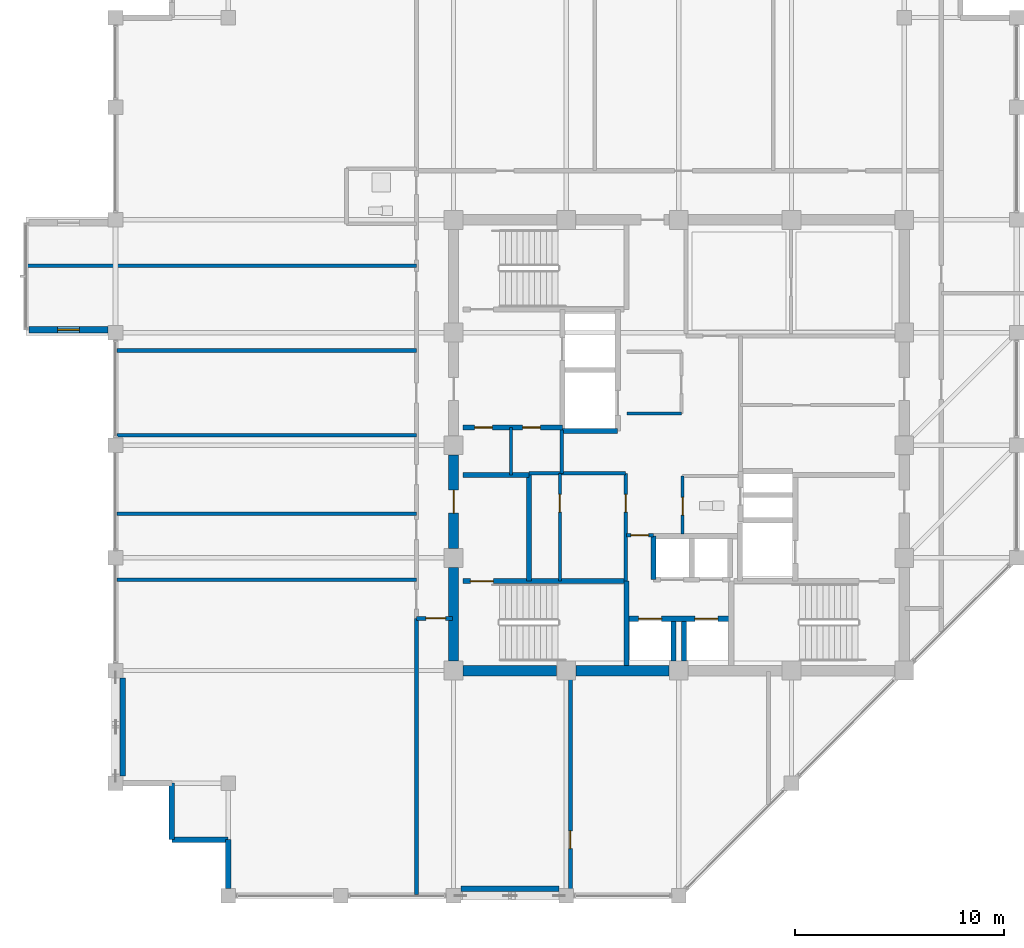
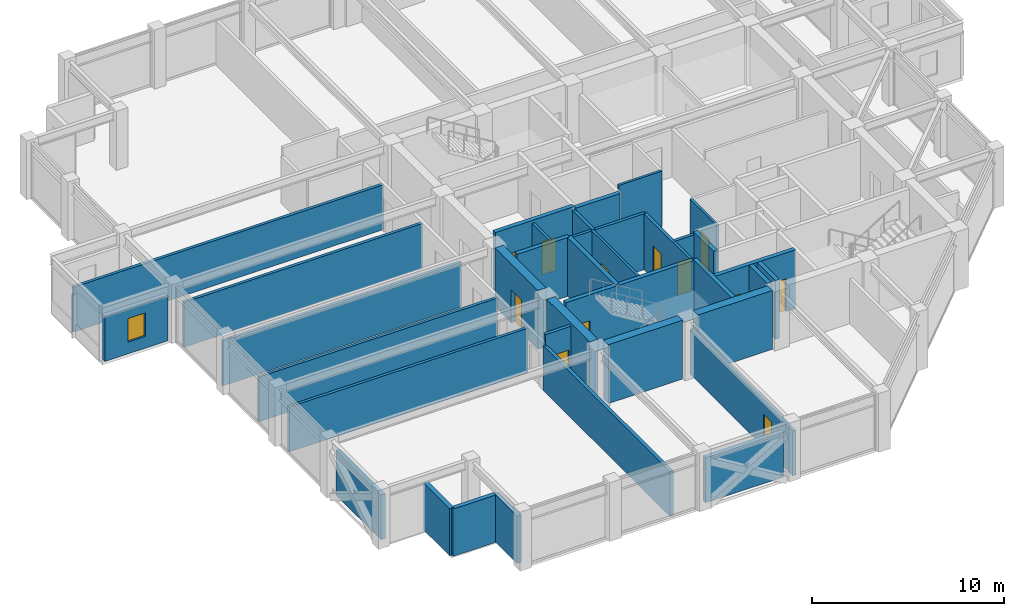
# One storey, part 25 of 31: 36 walls, 12 doors, 1 window, 13 openings.
"""IFC4 building model written with IfcOpenShell, lengths in metres."""

from ifc_helpers import new_model, si_unit, direction, frame, frame_2d, origin, place, context, subcontext, project, spatial, rectangle, extrude, material, layer, layer_set, type_object, element, fill, save


model = new_model("IFC4")

# Units and contexts
model_context = context("Model", 3, precision=1e-05, world=origin(), true_north=direction((0.0, 1.0)))
body_context = subcontext(model_context, "Body", "Model", "MODEL_VIEW")
ifc_project = project(units=[si_unit("LENGTHUNIT", "METRE"), si_unit("AREAUNIT", "SQUARE_METRE"), si_unit("VOLUMEUNIT", "CUBIC_METRE"), si_unit("PLANEANGLEUNIT", "RADIAN"), si_unit("MASSUNIT", "GRAM", prefix="KILO")], contexts=[model_context])

# Site, building, storey
site_placement = place(None, origin())
site = spatial("IfcSite", under=ifc_project, at=site_placement, CompositionType="ELEMENT")
building_placement = place(site_placement, origin())
building = spatial("IfcBuilding", under=site, at=building_placement, Name="Surkhivell Harbour Commons", CompositionType="ELEMENT")
storey_placement = place(building_placement, frame((0.0, 0.0, 266.25)))
storey = spatial("IfcBuildingStorey", under=building, at=storey_placement, Name="L69", CompositionType="ELEMENT", Elevation=266.25)

# Walls
ifc_material_1 = material(Name="Concrete C50/60", Category="concrete")
ifc_layer_1 = layer(ifc_material_1, 0.5)
ifc_layer_set_1 = layer_set([ifc_layer_1], Name="Concrete C50/60")
wall_type_1 = type_object("IfcWallType", Name="WAL-CORE-500", PredefinedType="SHEAR", material=ifc_layer_set_1)
for number, where, z_axis, x_axis, name in (
    (1, (-10.340087890625, -10.800048828125, 0.0), (0.0, 0.0, 1.0), (1.0, 0.0, 0.0), "L69 Core Shear Wall South 1"),
    (2, (-10.800048828125, -10.340087890625, 0.0), (0.0, 0.0, 1.0), (0.0, 1.0, 0.0), "L69 Core Shear Wall West 1"),
    (3, (-4.93994140625, -10.800048828125, 0.0), (0.0, 0.0, 1.0), (1.0, 0.0, 0.0), "L69 Core Shear Wall South 2"),
):
    element("IfcWall", number, at=place(storey_placement, frame(where, z_axis=z_axis, x_axis=x_axis)), inside=storey, type_object=wall_type_1, Name=name, PredefinedType="SHEAR", context=body_context, shape_type="SweptSolid", body=[
        extrude(rectangle(XDim=4.47998046875, YDim=0.5, at=frame_2d((2.239990234375, 0.0))), origin(), (0.0, 0.0, 1.0), 3.75),
    ])

# Wall, opening, door
wall_1_placement = place(storey_placement, frame((-10.800048828125, -4.93994140625, 0.0), z_axis=(0.0, 0.0, 1.0), x_axis=(0.0, 1.0, 0.0)))
wall_1 = element("IfcWall", 4, at=wall_1_placement, inside=storey, type_object=wall_type_1, Name="L69 Core Shear Wall West 2", PredefinedType="SHEAR", context=body_context, shape_type="SweptSolid", body=[
    extrude(rectangle(XDim=4.47998046875, YDim=0.5, at=frame_2d((2.239990234375, 0.0))), origin(), (0.0, 0.0, 1.0), 3.75),
])
opening_1_placement = place(wall_1_placement, frame((1.68994140625, 0.0, 0.0)))
opening_1 = element("IfcOpeningElement", 5, at=opening_1_placement, cuts=wall_1, Name="Opening ID-2", PredefinedType="OPENING", context=body_context, shape_type="SweptSolid", body=[
    extrude(rectangle(XDim=1.10009765625, YDim=2.10009765625, at=frame_2d((0.550048828125, 1.050048828125))), frame((0.0, 0.260009765625, 0.0), z_axis=(0.0, -1.0, 0.0), x_axis=(1.0, 0.0, 0.0)), (0.0, 0.0, 1.0), 0.52001953125),
])
ifc_material_2 = material(Name="Hardwood-veneered fire-rated door leaf", Category="wood")
door_type_1 = type_object("IfcDoorType", Name="DOR-FD60-1100", OperationType="NOTDEFINED", PredefinedType="DOOR", material=ifc_material_2)
door_1_placement = place(opening_1_placement, origin())
door_1 = element("IfcDoor", 6, at=door_1_placement, inside=storey, type_object=door_type_1, Name="L69 Stair 3 Lobby Corridor Door", OperationType="SINGLE_SWING_LEFT", OverallHeight=2.10009765625, OverallWidth=1.10009765625, PredefinedType="DOOR", context=body_context, shape_type="SweptSolid", body=[
    extrude(rectangle(XDim=1.10009765625, YDim=2.10009765625, at=frame_2d((0.550048828125, 1.050048828125))), frame((0.0, 0.02490234375, 0.0), z_axis=(0.0, -1.0, 0.0), x_axis=(1.0, 0.0, 0.0)), (0.0, 0.0, 1.0), 0.050048828125),
])
fill(opening_1, door_1)

# Wall, opening, window
ifc_material_3 = material(Name="Flemish-bond kiln brick and precast concrete C45/55", Category="masonry")
ifc_layer_2 = layer(ifc_material_3, 0.300048828125)
ifc_layer_set_2 = layer_set([ifc_layer_2], Name="Flemish-bond kiln brick and precast concrete C45/55")
wall_type_2 = type_object("IfcWallType", Name="WAL-EXT-BRK300", PredefinedType="STANDARD", material=ifc_layer_set_2)
wall_2_placement = place(storey_placement, frame((-31.159912109375, 5.5400390625, 0.0), z_axis=(0.0, 0.0, 1.0), x_axis=(1.0, 0.0, 0.0)))
wall_2 = element("IfcWall", 7, at=wall_2_placement, inside=storey, type_object=wall_type_2, Name="L69 Coloured Box Return Wall 02S", PredefinedType="STANDARD", context=body_context, shape_type="SweptSolid", body=[
    extrude(rectangle(XDim=3.805908203125, YDim=0.300048828125, at=frame_2d((1.90283203125, 0.0))), origin(), (0.0, 0.0, 1.0), 2.85693359375),
])
opening_2_placement = place(wall_2_placement, frame((1.3779296875, 0.0, 0.75)))
opening_2 = element("IfcOpeningElement", 8, at=opening_2_placement, cuts=wall_2, Name="Opening WN-11", PredefinedType="OPENING", context=body_context, shape_type="SweptSolid", body=[
    extrude(rectangle(XDim=1.050048828125, YDim=1.5, at=frame_2d((0.52490234375, 0.75))), frame((0.0, 0.159912109375, 0.0), z_axis=(0.0, -1.0, 0.0), x_axis=(1.0, 0.0, 0.0)), (0.0, 0.0, 1.0), 0.320068359375),
])
ifc_material_4 = material(Name="Thermal-break aluminium frame and double low-E glazing", Category="aluminium")
window_type = type_object("IfcWindowType", Name="WIN-SER-1050x1500", PartitioningType="SINGLE_PANEL", PredefinedType="WINDOW", material=ifc_material_4)
window_placement = place(opening_2_placement, origin())
window = element("IfcWindow", 9, at=window_placement, inside=storey, type_object=window_type, Name="L69 Coloured Box Return Window 02S", OverallHeight=1.5, OverallWidth=1.050048828125, PartitioningType="SINGLE_PANEL", PredefinedType="WINDOW", context=body_context, shape_type="SweptSolid", body=[
    extrude(rectangle(XDim=1.050048828125, YDim=1.5, at=frame_2d((0.52490234375, 0.75))), frame((0.0, 0.030029296875, 0.0), z_axis=(0.0, -1.0, 0.0), x_axis=(1.0, 0.0, 0.0)), (0.0, 0.0, 1.0), 0.06005859375),
])
fill(opening_2, window)

# Walls
ifc_material_5 = material(Name="Pale-metal insulated precast concrete C45/55", Category="concrete")
ifc_layer_3 = layer(ifc_material_5, 0.260009765625)
ifc_layer_set_3 = layer_set([ifc_layer_3], Name="Pale-metal insulated precast concrete C45/55")
wall_type_3 = type_object("IfcWallType", Name="WAL-EXT-MTL260", PredefinedType="STANDARD", material=ifc_layer_set_3)
wall_3_placement = place(storey_placement, frame((-10.451904296875, -21.264892578125, 0.0), z_axis=(0.0, 0.0, 1.0), x_axis=(1.0, 0.0, 0.0)))
element("IfcWall", 10, at=wall_3_placement, inside=storey, type_object=wall_type_3, Name="L69 Braced-Bay Insulated Spandrel Backing S", PredefinedType="STANDARD", context=body_context, shape_type="SweptSolid", body=[
    extrude(rectangle(XDim=4.703857421875, YDim=0.260009765625, at=frame_2d((2.35205078125, 0.0))), origin(), (0.0, 0.0, 1.0), 2.85693359375),
])
wall_4_placement = place(storey_placement, frame((-26.6650390625, -15.85205078125, 0.0), z_axis=(0.0, 0.0, 1.0), x_axis=(0.0, 1.0, 0.0)))
element("IfcWall", 11, at=wall_4_placement, inside=storey, type_object=wall_type_3, Name="L69 Braced-Bay Insulated Spandrel Backing W", PredefinedType="STANDARD", context=body_context, shape_type="SweptSolid", body=[
    extrude(rectangle(XDim=4.7041015625, YDim=0.260009765625, at=frame_2d((2.35205078125, 0.0))), origin(), (0.0, 0.0, 1.0), 2.85693359375),
])
for number, where, z_axis, x_axis, name in (
    (12, (-24.300048828125, -16.199951171875, 0.0), (0.0, 0.0, 1.0), (0.0, -1.0, 0.0), "L69 Serrated Corner Facade Wall 14"),
    (13, (-24.300048828125, -18.89990234375, 0.0), (0.0, 0.0, 1.0), (1.0, 0.0, 0.0), "L69 Serrated Corner Facade Wall 15"),
):
    element("IfcWall", number, at=place(storey_placement, frame(where, z_axis=z_axis, x_axis=x_axis)), inside=storey, type_object=wall_type_3, Name=name, PredefinedType="STANDARD", context=body_context, shape_type="SweptSolid", body=[
        extrude(rectangle(XDim=2.699951171875, YDim=0.260009765625, at=frame_2d((1.35009765625, 0.0))), origin(), (0.0, 0.0, 1.0), 3.012939453125),
    ])
wall_5_placement = place(storey_placement, frame((-21.60009765625, -18.89990234375, 0.0), z_axis=(0.0, 0.0, 1.0), x_axis=(0.0, -1.0, 0.0)))
element("IfcWall", 14, at=wall_5_placement, inside=storey, type_object=wall_type_3, Name="L69 Serrated Corner Facade Wall 16", PredefinedType="STANDARD", context=body_context, shape_type="SweptSolid", body=[
    extrude(rectangle(XDim=2.35205078125, YDim=0.260009765625, at=frame_2d((1.176025390625, 0.0))), origin(), (0.0, 0.0, 1.0), 3.012939453125),
])

# Wall, opening, door
ifc_material_6 = material(Name="Twin-stud acoustic fireboard partition", Category="other")
ifc_layer_4 = layer(ifc_material_6, 0.14990234375)
ifc_layer_set_4 = layer_set([ifc_layer_4], Name="Twin-stud acoustic fireboard partition")
wall_type_4 = type_object("IfcWallType", Name="WAL-INT-150", PredefinedType="PARTITIONING", material=ifc_layer_set_4)
wall_6_placement = place(storey_placement, frame((0.179931640625, -4.25, 0.0), z_axis=(0.0, 0.0, 1.0), x_axis=(0.0, 1.0, 0.0)))
wall_6 = element("IfcWall", 15, at=wall_6_placement, inside=storey, type_object=wall_type_4, Name="L69 Core Accessible WC West Wall", PredefinedType="PARTITIONING", context=body_context, shape_type="SweptSolid", body=[
    extrude(rectangle(XDim=2.77001953125, YDim=0.14990234375, at=frame_2d((1.385009765625, 0.0))), origin(), (0.0, 0.0, 1.0), 3.570068359375),
])
opening_3_placement = place(wall_6_placement, frame((0.89990234375, 0.0, 0.0)))
opening_3 = element("IfcOpeningElement", 16, at=opening_3_placement, cuts=wall_6, Name="Opening ID-6", PredefinedType="OPENING", context=body_context, shape_type="SweptSolid", body=[
    extrude(rectangle(XDim=0.85009765625, YDim=2.10009765625, at=frame_2d((0.425048828125, 1.050048828125))), frame((0.0, 0.0849609375, 0.0), z_axis=(0.0, -1.0, 0.0), x_axis=(1.0, 0.0, 0.0)), (0.0, 0.0, 1.0), 0.169921875),
])
door_type_2 = type_object("IfcDoorType", Name="DOR-FD30-850", OperationType="NOTDEFINED", PredefinedType="DOOR", material=ifc_material_2)
door_2_placement = place(opening_3_placement, origin())
door_2 = element("IfcDoor", 17, at=door_2_placement, inside=storey, type_object=door_type_2, Name="L69 Floor Accessible WC Door", OperationType="SINGLE_SWING_LEFT", OverallHeight=2.10009765625, OverallWidth=0.85009765625, PredefinedType="DOOR", context=body_context, shape_type="SweptSolid", body=[
    extrude(rectangle(XDim=0.85009765625, YDim=2.10009765625, at=frame_2d((0.425048828125, 1.050048828125))), frame((0.0, 0.02490234375, 0.0), z_axis=(0.0, -1.0, 0.0), x_axis=(1.0, 0.0, 0.0)), (0.0, 0.0, 1.0), 0.050048828125),
])
fill(opening_3, door_2)

wall_7_placement = place(storey_placement, frame((-5.699951171875, -6.510009765625, 0.0), z_axis=(0.0, 0.0, 1.0), x_axis=(0.0, 1.0, 0.0)))
wall_7 = element("IfcWall", 18, at=wall_7_placement, inside=storey, type_object=wall_type_4, Name="L69 Core Cut B Partition", PredefinedType="PARTITIONING", context=body_context, shape_type="SweptSolid", body=[
    extrude(rectangle(XDim=5.159912109375, YDim=0.14990234375, at=frame_2d((2.580078125, 0.0))), origin(), (0.0, 0.0, 1.0), 3.570068359375),
])
opening_4_placement = place(wall_7_placement, frame((3.300048828125, 0.0, 0.0)))
opening_4 = element("IfcOpeningElement", 19, at=opening_4_placement, cuts=wall_7, Name="Opening ID-6", PredefinedType="OPENING", context=body_context, shape_type="SweptSolid", body=[
    extrude(rectangle(XDim=0.85009765625, YDim=2.10009765625, at=frame_2d((0.425048828125, 1.050048828125))), frame((0.0, 0.0849609375, 0.0), z_axis=(0.0, -1.0, 0.0), x_axis=(1.0, 0.0, 0.0)), (0.0, 0.0, 1.0), 0.169921875),
])
door_3_placement = place(opening_4_placement, origin())
door_3 = element("IfcDoor", 20, at=door_3_placement, inside=storey, type_object=door_type_2, Name="L69 Core Focus Study Door", OperationType="SINGLE_SWING_RIGHT", OverallHeight=2.10009765625, OverallWidth=0.85009765625, PredefinedType="DOOR", context=body_context, shape_type="SweptSolid", body=[
    extrude(rectangle(XDim=0.85009765625, YDim=2.10009765625, at=frame_2d((0.425048828125, 1.050048828125))), frame((0.0, 0.02490234375, 0.0), z_axis=(0.0, -1.0, 0.0), x_axis=(1.0, 0.0, 0.0)), (0.0, 0.0, 1.0), 0.050048828125),
])
fill(opening_4, door_3)

# Walls
wall_8_placement = place(storey_placement, frame((-8.050048828125, -1.419921875, 0.0), z_axis=(0.0, 0.0, 1.0), x_axis=(0.0, 1.0, 0.0)))
element("IfcWall", 21, at=wall_8_placement, inside=storey, type_object=wall_type_4, Name="L69 West Seminar Booth Divider", PredefinedType="PARTITIONING", context=body_context, shape_type="SweptSolid", body=[
    extrude(rectangle(XDim=2.27001953125, YDim=0.14990234375, at=frame_2d((1.135009765625, 0.0))), origin(), (0.0, 0.0, 1.0), 3.570068359375),
])
wall_9_placement = place(storey_placement, frame((-2.47998046875, 1.52001953125, 0.0), z_axis=(0.0, 0.0, 1.0), x_axis=(1.0, 0.0, 0.0)))
element("IfcWall", 22, at=wall_9_placement, inside=storey, type_object=wall_type_4, Name="L69 Central Reading South Wall", PredefinedType="PARTITIONING", context=body_context, shape_type="SweptSolid", body=[
    extrude(rectangle(XDim=2.60009765625, YDim=0.14990234375, at=frame_2d((1.300048828125, 0.0))), origin(), (0.0, 0.0, 1.0), 3.570068359375),
])

# Wall, opening, door
ifc_material_7 = material(Name="High-density acoustic blockwork fire partition", Category="masonry")
ifc_layer_5 = layer(ifc_material_7, 0.175048828125)
ifc_layer_set_5 = layer_set([ifc_layer_5], Name="High-density acoustic blockwork fire partition")
wall_type_5 = type_object("IfcWallType", Name="WAL-INT-175", PredefinedType="PARTITIONING", material=ifc_layer_set_5)
wall_10_placement = place(storey_placement, frame((-2.550048828125, -6.510009765625, 0.0), z_axis=(0.0, 0.0, 1.0), x_axis=(0.0, 1.0, 0.0)))
wall_10 = element("IfcWall", 23, at=wall_10_placement, inside=storey, type_object=wall_type_5, Name="L69 Core Service Bay East Wall", PredefinedType="PARTITIONING", context=body_context, shape_type="SweptSolid", body=[
    extrude(rectangle(XDim=5.159912109375, YDim=0.175048828125, at=frame_2d((2.580078125, 0.0))), origin(), (0.0, 0.0, 1.0), 3.570068359375),
])
opening_5_placement = place(wall_10_placement, frame((3.300048828125, 0.0, 0.0)))
opening_5 = element("IfcOpeningElement", 24, at=opening_5_placement, cuts=wall_10, Name="Opening ID-6", PredefinedType="OPENING", context=body_context, shape_type="SweptSolid", body=[
    extrude(rectangle(XDim=0.85009765625, YDim=2.10009765625, at=frame_2d((0.425048828125, 1.050048828125))), frame((0.0, 0.097412109375, 0.0), z_axis=(0.0, -1.0, 0.0), x_axis=(1.0, 0.0, 0.0)), (0.0, 0.0, 1.0), 0.195068359375),
])
door_4_placement = place(opening_5_placement, origin())
door_4 = element("IfcDoor", 25, at=door_4_placement, inside=storey, type_object=door_type_2, Name="L69 Core Music Door", OperationType="SINGLE_SWING_LEFT", OverallHeight=2.10009765625, OverallWidth=0.85009765625, PredefinedType="DOOR", context=body_context, shape_type="SweptSolid", body=[
    extrude(rectangle(XDim=0.85009765625, YDim=2.10009765625, at=frame_2d((0.425048828125, 1.050048828125))), frame((0.0, 0.02490234375, 0.0), z_axis=(0.0, -1.0, 0.0), x_axis=(1.0, 0.0, 0.0)), (0.0, 0.0, 1.0), 0.050048828125),
])
fill(opening_5, door_4)

# Walls
wall_11_placement = place(storey_placement, frame((-7.179931640625, -1.35009765625, 0.0), z_axis=(0.0, 0.0, 1.0), x_axis=(1.0, 0.0, 0.0)))
element("IfcWall", 26, at=wall_11_placement, inside=storey, type_object=wall_type_5, Name="L69 Core Service Bay North Wall", PredefinedType="PARTITIONING", context=body_context, shape_type="SweptSolid", body=[
    extrude(rectangle(XDim=4.6298828125, YDim=0.175048828125, at=frame_2d((2.31494140625, 0.0))), origin(), (0.0, 0.0, 1.0), 3.570068359375),
])
wall_12_placement = place(storey_placement, frame((-5.6201171875, -1.35009765625, 0.0), z_axis=(0.0, 0.0, 1.0), x_axis=(0.0, 1.0, 0.0)))
element("IfcWall", 27, at=wall_12_placement, inside=storey, type_object=wall_type_5, Name="L69 West Core Bay East Wall", PredefinedType="PARTITIONING", context=body_context, shape_type="SweptSolid", body=[
    extrude(rectangle(XDim=2.070068359375, YDim=0.175048828125, at=frame_2d((1.03515625, 0.0))), origin(), (0.0, 0.0, 1.0), 3.570068359375),
])

# Wall, opening, door
wall_13_placement = place(storey_placement, frame((-2.52001953125, -4.320068359375, 0.0), z_axis=(0.0, 0.0, 1.0), x_axis=(1.0, 0.0, 0.0)))
wall_13 = element("IfcWall", 28, at=wall_13_placement, inside=storey, type_object=wall_type_5, Name="L69 High-Rise Lobby North Portal Wall", PredefinedType="PARTITIONING", context=body_context, shape_type="SweptSolid", body=[
    extrude(rectangle(XDim=1.300048828125, YDim=0.175048828125, at=frame_2d((0.64990234375, 0.0))), origin(), (0.0, 0.0, 1.0), 3.570068359375),
])
opening_6_placement = place(wall_13_placement, frame((0.219970703125, 0.0, 0.0)))
opening_6 = element("IfcOpeningElement", 29, at=opening_6_placement, cuts=wall_13, Name="Opening ID-6", PredefinedType="OPENING", context=body_context, shape_type="SweptSolid", body=[
    extrude(rectangle(XDim=0.85009765625, YDim=2.10009765625, at=frame_2d((0.425048828125, 1.050048828125))), frame((0.0, 0.097412109375, 0.0), z_axis=(0.0, -1.0, 0.0), x_axis=(1.0, 0.0, 0.0)), (0.0, 0.0, 1.0), 0.195068359375),
])
door_5_placement = place(opening_6_placement, origin())
door_5 = element("IfcDoor", 30, at=door_5_placement, inside=storey, type_object=door_type_2, Name="L69 High-Rise Lift Lobby North Door", OperationType="SINGLE_SWING_LEFT", OverallHeight=2.10009765625, OverallWidth=0.85009765625, PredefinedType="DOOR", context=body_context, shape_type="SweptSolid", body=[
    extrude(rectangle(XDim=0.85009765625, YDim=2.10009765625, at=frame_2d((0.425048828125, 1.050048828125))), frame((0.0, 0.02490234375, 0.0), z_axis=(0.0, -1.0, 0.0), x_axis=(1.0, 0.0, 0.0)), (0.0, 0.0, 1.0), 0.050048828125),
])
fill(opening_6, door_5)

# Walls
for number, where, z_axis, x_axis, name in (
    (31, (-26.93994140625, -3.2900390625, 0.0), (0.0, 0.0, 1.0), (1.0, 0.0, 0.0), "L69 West Partition BDP1"),
    (32, (-26.93994140625, 0.47998046875, 0.0), (0.0, 0.0, 1.0), (1.0, 0.0, 0.0), "L69 West Partition BDP2"),
    (33, (-26.93994140625, 4.5400390625, 0.0), (0.0, 0.0, 1.0), (1.0, 0.0, 0.0), "L69 West Partition BDP3"),
    (34, (-26.93994140625, -6.449951171875, 0.0), (0.0, 0.0, 1.0), (1.0, 0.0, 0.0), "L69 West Partition PBOT"),
):
    element("IfcWall", number, at=place(storey_placement, frame(where, z_axis=z_axis, x_axis=x_axis)), inside=storey, type_object=wall_type_5, Name=name, PredefinedType="PARTITIONING", context=body_context, shape_type="SweptSolid", body=[
        extrude(rectangle(XDim=14.35986328125, YDim=0.175048828125, at=frame_2d((7.179931640625, 0.0))), origin(), (0.0, 0.0, 1.0), 2.85693359375),
    ])
wall_14_placement = place(storey_placement, frame((-31.239990234375, 8.610107421875, 0.0), z_axis=(0.0, 0.0, 1.0), x_axis=(1.0, 0.0, 0.0)))
element("IfcWall", 35, at=wall_14_placement, inside=storey, type_object=wall_type_5, Name="L69 West Partition PTOP", PredefinedType="PARTITIONING", context=body_context, shape_type="SweptSolid", body=[
    extrude(rectangle(XDim=18.659912109375, YDim=0.175048828125, at=frame_2d((9.330078125, 0.0))), origin(), (0.0, 0.0, 1.0), 2.85693359375),
])

# Wall, opening, door
ifc_material_8 = material(Name="Autoclaved aerated concrete blockwork and fire plaster", Category="masonry")
ifc_layer_6 = layer(ifc_material_8, 0.199951171875)
ifc_layer_set_6 = layer_set([ifc_layer_6], Name="Autoclaved aerated concrete blockwork and fire plaster")
wall_type_6 = type_object("IfcWallType", Name="WAL-INT-200", PredefinedType="PARTITIONING", material=ifc_layer_set_6)
wall_15_placement = place(storey_placement, frame((-5.199951171875, -21.5400390625, 0.0), z_axis=(0.0, 0.0, 1.0), x_axis=(0.0, 1.0, 0.0)))
wall_15 = element("IfcWall", 36, at=wall_15_placement, inside=storey, type_object=wall_type_6, Name="L69 South Wing Mid Partition", PredefinedType="PARTITIONING", context=body_context, shape_type="SweptSolid", body=[
    extrude(rectangle(XDim=10.68994140625, YDim=0.199951171875, at=frame_2d((5.344970703125, 0.0))), origin(), (0.0, 0.0, 1.0), 2.85693359375),
])
opening_7_placement = place(wall_15_placement, frame((2.199951171875, 0.0, 0.0)))
opening_7 = element("IfcOpeningElement", 37, at=opening_7_placement, cuts=wall_15, Name="Opening ID-6", PredefinedType="OPENING", context=body_context, shape_type="SweptSolid", body=[
    extrude(rectangle(XDim=0.85009765625, YDim=2.10009765625, at=frame_2d((0.425048828125, 1.050048828125))), frame((0.0, 0.10986328125, 0.0), z_axis=(0.0, -1.0, 0.0), x_axis=(1.0, 0.0, 0.0)), (0.0, 0.0, 1.0), 0.219970703125),
])
door_6_placement = place(opening_7_placement, origin())
door_6 = element("IfcDoor", 38, at=door_6_placement, inside=storey, type_object=door_type_2, Name="L69 South Seminar Door", OperationType="SINGLE_SWING_LEFT", OverallHeight=2.10009765625, OverallWidth=0.85009765625, PredefinedType="DOOR", context=body_context, shape_type="SweptSolid", body=[
    extrude(rectangle(XDim=0.85009765625, YDim=2.10009765625, at=frame_2d((0.425048828125, 1.050048828125))), frame((0.0, 0.02490234375, 0.0), z_axis=(0.0, -1.0, 0.0), x_axis=(1.0, 0.0, 0.0)), (0.0, 0.0, 1.0), 0.050048828125),
])
fill(opening_7, door_6)

# Wall
wall_16_placement = place(storey_placement, frame((-12.580078125, -21.5400390625, 0.0), z_axis=(0.0, 0.0, 1.0), x_axis=(0.0, 1.0, 0.0)))
element("IfcWall", 39, at=wall_16_placement, inside=storey, type_object=wall_type_6, Name="L69 South Hall West Divider", PredefinedType="PARTITIONING", context=body_context, shape_type="SweptSolid", body=[
    extrude(rectangle(XDim=13.239990234375, YDim=0.199951171875, at=frame_2d((6.6201171875, 0.0))), origin(), (0.0, 0.0, 1.0), 2.85693359375),
])

# Wall, opening, door
wall_17_placement = place(storey_placement, frame((-12.580078125, -8.300048828125, 0.0), z_axis=(0.0, 0.0, 1.0), x_axis=(1.0, 0.0, 0.0)))
wall_17 = element("IfcWall", 40, at=wall_17_placement, inside=storey, type_object=wall_type_6, Name="L69 West Corridor South Portal Wall", PredefinedType="PARTITIONING", context=body_context, shape_type="SweptSolid", body=[
    extrude(rectangle(XDim=1.72998046875, YDim=0.199951171875, at=frame_2d((0.864990234375, 0.0))), origin(), (0.0, 0.0, 1.0), 3.570068359375),
])
opening_8_placement = place(wall_17_placement, frame((0.449951171875, 0.0, 0.0)))
opening_8 = element("IfcOpeningElement", 41, at=opening_8_placement, cuts=wall_17, Name="Opening ID-4", PredefinedType="OPENING", context=body_context, shape_type="SweptSolid", body=[
    extrude(rectangle(XDim=0.949951171875, YDim=2.10009765625, at=frame_2d((0.47509765625, 1.050048828125))), frame((0.0, 0.10986328125, 0.0), z_axis=(0.0, -1.0, 0.0), x_axis=(1.0, 0.0, 0.0)), (0.0, 0.0, 1.0), 0.219970703125),
])
door_type_3 = type_object("IfcDoorType", Name="DOR-FD60-950", OperationType="NOTDEFINED", PredefinedType="DOOR", material=ifc_material_2)
door_7_placement = place(opening_8_placement, origin())
door_7 = element("IfcDoor", 42, at=door_7_placement, inside=storey, type_object=door_type_3, Name="L69 South Lounge Door", OperationType="SINGLE_SWING_RIGHT", OverallHeight=2.10009765625, OverallWidth=0.949951171875, PredefinedType="DOOR", context=body_context, shape_type="SweptSolid", body=[
    extrude(rectangle(XDim=0.949951171875, YDim=2.10009765625, at=frame_2d((0.47509765625, 1.050048828125))), frame((0.0, 0.02490234375, 0.0), z_axis=(0.0, -1.0, 0.0), x_axis=(1.0, 0.0, 0.0)), (0.0, 0.0, 1.0), 0.050048828125),
])
fill(opening_8, door_7)

# Wall, openings, doors
ifc_layer_7 = layer(ifc_material_1, 0.25)
ifc_layer_set_7 = layer_set([ifc_layer_7], Name="Concrete C50/60")
wall_type_7 = type_object("IfcWallType", Name="WAL-SHAFT-250", PredefinedType="SHEAR", material=ifc_layer_set_7)
wall_18_placement = place(storey_placement, frame((-10.340087890625, 0.85009765625, 0.0), z_axis=(0.0, 0.0, 1.0), x_axis=(1.0, 0.0, 0.0)))
wall_18 = element("IfcWall", 43, at=wall_18_placement, inside=storey, type_object=wall_type_7, Name="L69 Firefighting Lobby 1 South Wall", PredefinedType="SHEAR", context=body_context, shape_type="SweptSolid", body=[
    extrude(rectangle(XDim=4.760009765625, YDim=0.25, at=frame_2d((2.3798828125, 0.0))), origin(), (0.0, 0.0, 1.0), 3.75),
])
opening_9_placement = place(wall_18_placement, frame((0.550048828125, 0.0, 0.0)))
opening_9 = element("IfcOpeningElement", 44, at=opening_9_placement, cuts=wall_18, Name="Opening ID-6", PredefinedType="OPENING", context=body_context, shape_type="SweptSolid", body=[
    extrude(rectangle(XDim=0.85009765625, YDim=2.10009765625, at=frame_2d((0.425048828125, 1.050048828125))), frame((0.0, 0.135009765625, 0.0), z_axis=(0.0, -1.0, 0.0), x_axis=(1.0, 0.0, 0.0)), (0.0, 0.0, 1.0), 0.27001953125),
])
opening_10_placement = place(wall_18_placement, frame((2.85009765625, 0.0, 0.0)))
opening_10 = element("IfcOpeningElement", 45, at=opening_10_placement, cuts=wall_18, Name="Opening ID-6", PredefinedType="OPENING", context=body_context, shape_type="SweptSolid", body=[
    extrude(rectangle(XDim=0.85009765625, YDim=2.10009765625, at=frame_2d((0.425048828125, 1.050048828125))), frame((0.0, 0.135009765625, 0.0), z_axis=(0.0, -1.0, 0.0), x_axis=(1.0, 0.0, 0.0)), (0.0, 0.0, 1.0), 0.27001953125),
])
door_8_placement = place(opening_9_placement, origin())
door_8 = element("IfcDoor", 46, at=door_8_placement, inside=storey, type_object=door_type_2, Name="L69 West Seminar 1 Door", OperationType="SINGLE_SWING_LEFT", OverallHeight=2.10009765625, OverallWidth=0.85009765625, PredefinedType="DOOR", context=body_context, shape_type="SweptSolid", body=[
    extrude(rectangle(XDim=0.85009765625, YDim=2.10009765625, at=frame_2d((0.425048828125, 1.050048828125))), frame((0.0, 0.02490234375, 0.0), z_axis=(0.0, -1.0, 0.0), x_axis=(1.0, 0.0, 0.0)), (0.0, 0.0, 1.0), 0.050048828125),
])
fill(opening_9, door_8)
door_9_placement = place(opening_10_placement, origin())
door_9 = element("IfcDoor", 47, at=door_9_placement, inside=storey, type_object=door_type_2, Name="L69 West Seminar 2 Door", OperationType="SINGLE_SWING_RIGHT", OverallHeight=2.10009765625, OverallWidth=0.85009765625, PredefinedType="DOOR", context=body_context, shape_type="SweptSolid", body=[
    extrude(rectangle(XDim=0.85009765625, YDim=2.10009765625, at=frame_2d((0.425048828125, 1.050048828125))), frame((0.0, 0.02490234375, 0.0), z_axis=(0.0, -1.0, 0.0), x_axis=(1.0, 0.0, 0.0)), (0.0, 0.0, 1.0), 0.050048828125),
])
fill(opening_10, door_9)

# Walls
for number, where, z_axis, x_axis, name in (
    (48, (-0.25, -10.35009765625, 0.0), (0.0, 0.0, 1.0), (0.0, 1.0, 0.0), "L69 High-Rise Side Wall S"),
    (49, (0.25, -10.35009765625, 0.0), (0.0, 0.0, 1.0), (0.0, 1.0, 0.0), "L69 High-Rise Side Wall S"),
):
    element("IfcWall", number, at=place(storey_placement, frame(where, z_axis=z_axis, x_axis=x_axis)), inside=storey, type_object=wall_type_7, Name=name, PredefinedType="SHEAR", context=body_context, shape_type="SweptSolid", body=[
        extrude(rectangle(XDim=1.91015625, YDim=0.25, at=frame_2d((0.955078125, 0.0))), origin(), (0.0, 0.0, 1.0), 3.75),
    ])
wall_19_placement = place(storey_placement, frame((-1.219970703125, -6.43994140625, 0.0), z_axis=(0.0, 0.0, 1.0), x_axis=(0.0, 1.0, 0.0)))
element("IfcWall", 50, at=wall_19_placement, inside=storey, type_object=wall_type_7, Name="L69 High-Rise Passage East Shaft Wall", PredefinedType="SHEAR", context=body_context, shape_type="SweptSolid", body=[
    extrude(rectangle(XDim=2.079833984375, YDim=0.25, at=frame_2d((1.0400390625, 0.0))), origin(), (0.0, 0.0, 1.0), 3.75),
])

# Wall, openings, doors
wall_20_placement = place(storey_placement, frame((-2.47998046875, -8.320068359375, 0.0), z_axis=(0.0, 0.0, 1.0), x_axis=(1.0, 0.0, 0.0)))
wall_20 = element("IfcWall", 51, at=wall_20_placement, inside=storey, type_object=wall_type_7, Name="L69 High-Rise South Front Shaft Wall", PredefinedType="SHEAR", context=body_context, shape_type="SweptSolid", body=[
    extrude(rectangle(XDim=4.929931640625, YDim=0.25, at=frame_2d((2.46484375, 0.0))), origin(), (0.0, 0.0, 1.0), 3.75),
])
opening_11_placement = place(wall_20_placement, frame((0.550048828125, 0.0, 0.0)))
opening_11 = element("IfcOpeningElement", 52, at=opening_11_placement, cuts=wall_20, Name="Opening LD-1", PredefinedType="OPENING", context=body_context, shape_type="SweptSolid", body=[
    extrude(rectangle(XDim=1.10009765625, YDim=2.10009765625, at=frame_2d((0.550048828125, 1.050048828125))), frame((0.0, 0.135009765625, 0.0), z_axis=(0.0, -1.0, 0.0), x_axis=(1.0, 0.0, 0.0)), (0.0, 0.0, 1.0), 0.27001953125),
])
opening_12_placement = place(wall_20_placement, frame((3.25, 0.0, 0.0)))
opening_12 = element("IfcOpeningElement", 53, at=opening_12_placement, cuts=wall_20, Name="Opening LD-1", PredefinedType="OPENING", context=body_context, shape_type="SweptSolid", body=[
    extrude(rectangle(XDim=1.10009765625, YDim=2.10009765625, at=frame_2d((0.550048828125, 1.050048828125))), frame((0.0, 0.135009765625, 0.0), z_axis=(0.0, -1.0, 0.0), x_axis=(1.0, 0.0, 0.0)), (0.0, 0.0, 1.0), 0.27001953125),
])
ifc_material_9 = material(Name="Brushed stainless steel S355", Category="steel")
door_type_4 = type_object("IfcDoorType", Name="DOR-LD-1100", OperationType="SLIDING_TO_LEFT", PredefinedType="DOOR", material=ifc_material_9)
door_10_placement = place(opening_11_placement, origin())
door_10 = element("IfcDoor", 54, at=door_10_placement, inside=storey, type_object=door_type_4, Name="L69 Lift Landing Door LD-PH3", OperationType="SLIDING_TO_LEFT", OverallHeight=2.10009765625, OverallWidth=1.10009765625, PredefinedType="DOOR", context=body_context, shape_type="SweptSolid", body=[
    extrude(rectangle(XDim=1.10009765625, YDim=2.10009765625, at=frame_2d((0.550048828125, 1.050048828125))), frame((0.0, 0.02490234375, 0.0), z_axis=(0.0, -1.0, 0.0), x_axis=(1.0, 0.0, 0.0)), (0.0, 0.0, 1.0), 0.050048828125),
])
fill(opening_11, door_10)
door_11_placement = place(opening_12_placement, origin())
door_11 = element("IfcDoor", 55, at=door_11_placement, inside=storey, type_object=door_type_4, Name="L69 Lift Landing Door LD-PH4", OperationType="SLIDING_TO_LEFT", OverallHeight=2.10009765625, OverallWidth=1.10009765625, PredefinedType="DOOR", context=body_context, shape_type="SweptSolid", body=[
    extrude(rectangle(XDim=1.10009765625, YDim=2.10009765625, at=frame_2d((0.550048828125, 1.050048828125))), frame((0.0, 0.02490234375, 0.0), z_axis=(0.0, -1.0, 0.0), x_axis=(1.0, 0.0, 0.0)), (0.0, 0.0, 1.0), 0.050048828125),
])
fill(opening_12, door_11)

# Walls
wall_21_placement = place(storey_placement, frame((-2.510009765625, -10.550048828125, 0.0), z_axis=(0.0, 0.0, 1.0), x_axis=(0.0, 1.0, 0.0)))
element("IfcWall", 56, at=wall_21_placement, inside=storey, type_object=wall_type_7, Name="L69 Stair ST3 East Shear Wall", PredefinedType="SHEAR", context=body_context, shape_type="SweptSolid", body=[
    extrude(rectangle(XDim=4.0400390625, YDim=0.25, at=frame_2d((2.02001953125, 0.0))), origin(), (0.0, 0.0, 1.0), 3.75),
])
wall_22_placement = place(storey_placement, frame((-7.179931640625, -6.510009765625, 0.0), z_axis=(0.0, 0.0, 1.0), x_axis=(0.0, 1.0, 0.0)))
element("IfcWall", 57, at=wall_22_placement, inside=storey, type_object=wall_type_7, Name="L69 Stair 3 Lobby East Wall", PredefinedType="SHEAR", context=body_context, shape_type="SweptSolid", body=[
    extrude(rectangle(XDim=5.090087890625, YDim=0.25, at=frame_2d((2.544921875, 0.0))), origin(), (0.0, 0.0, 1.0), 3.75),
])
wall_23_placement = place(storey_placement, frame((-10.340087890625, -1.419921875, 0.0), z_axis=(0.0, 0.0, 1.0), x_axis=(1.0, 0.0, 0.0)))
element("IfcWall", 58, at=wall_23_placement, inside=storey, type_object=wall_type_7, Name="L69 Stair 3 Lobby North Wall", PredefinedType="SHEAR", context=body_context, shape_type="SweptSolid", body=[
    extrude(rectangle(XDim=3.16015625, YDim=0.25, at=frame_2d((1.580078125, 0.0))), origin(), (0.0, 0.0, 1.0), 3.75),
])

# Wall, opening, door
wall_24_placement = place(storey_placement, frame((-10.340087890625, -6.510009765625, 0.0), z_axis=(0.0, 0.0, 1.0), x_axis=(1.0, 0.0, 0.0)))
wall_24 = element("IfcWall", 59, at=wall_24_placement, inside=storey, type_object=wall_type_7, Name="L69 Stair ST3 North Shear Wall", PredefinedType="SHEAR", context=body_context, shape_type="SweptSolid", body=[
    extrude(rectangle(XDim=7.7001953125, YDim=0.25, at=frame_2d((3.85009765625, 0.0))), origin(), (0.0, 0.0, 1.0), 3.75),
])
opening_13_placement = place(wall_24_placement, frame((0.35009765625, 0.0, 0.0)))
opening_13 = element("IfcOpeningElement", 60, at=opening_13_placement, cuts=wall_24, Name="Opening ID-2", PredefinedType="OPENING", context=body_context, shape_type="SweptSolid", body=[
    extrude(rectangle(XDim=1.10009765625, YDim=2.10009765625, at=frame_2d((0.550048828125, 1.050048828125))), frame((0.0, 0.135009765625, 0.0), z_axis=(0.0, -1.0, 0.0), x_axis=(1.0, 0.0, 0.0)), (0.0, 0.0, 1.0), 0.27001953125),
])
door_12_placement = place(opening_13_placement, origin())
door_12 = element("IfcDoor", 61, at=door_12_placement, inside=storey, type_object=door_type_1, Name="L69 Stair ST3 Exit Door", OperationType="SINGLE_SWING_RIGHT", OverallHeight=2.10009765625, OverallWidth=1.10009765625, PredefinedType="DOOR", context=body_context, shape_type="SweptSolid", body=[
    extrude(rectangle(XDim=1.10009765625, YDim=2.10009765625, at=frame_2d((0.550048828125, 1.050048828125))), frame((0.0, 0.02490234375, 0.0), z_axis=(0.0, -1.0, 0.0), x_axis=(1.0, 0.0, 0.0)), (0.0, 0.0, 1.0), 0.050048828125),
])
fill(opening_13, door_12)

# Wall
wall_25_placement = place(storey_placement, frame((-5.580078125, 0.679931640625, 0.0), z_axis=(0.0, 0.0, 1.0), x_axis=(1.0, 0.0, 0.0)))
element("IfcWall", 62, at=wall_25_placement, inside=storey, type_object=wall_type_7, Name="L69 SVL1 South Shaft Wall", PredefinedType="SHEAR", context=body_context, shape_type="SweptSolid", body=[
    extrude(rectangle(XDim=2.650146484375, YDim=0.25, at=frame_2d((1.3251953125, 0.0))), origin(), (0.0, 0.0, 1.0), 3.75),
])

save(model, "model.ifc")
